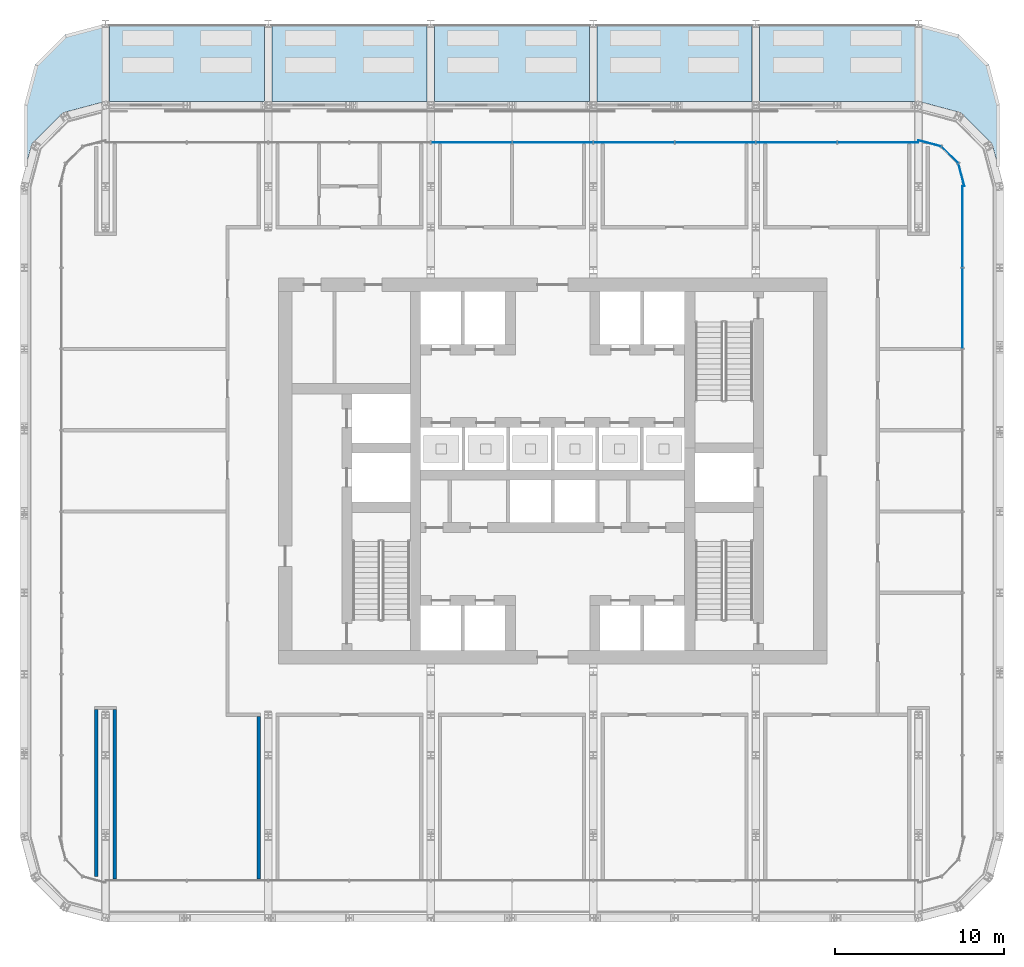
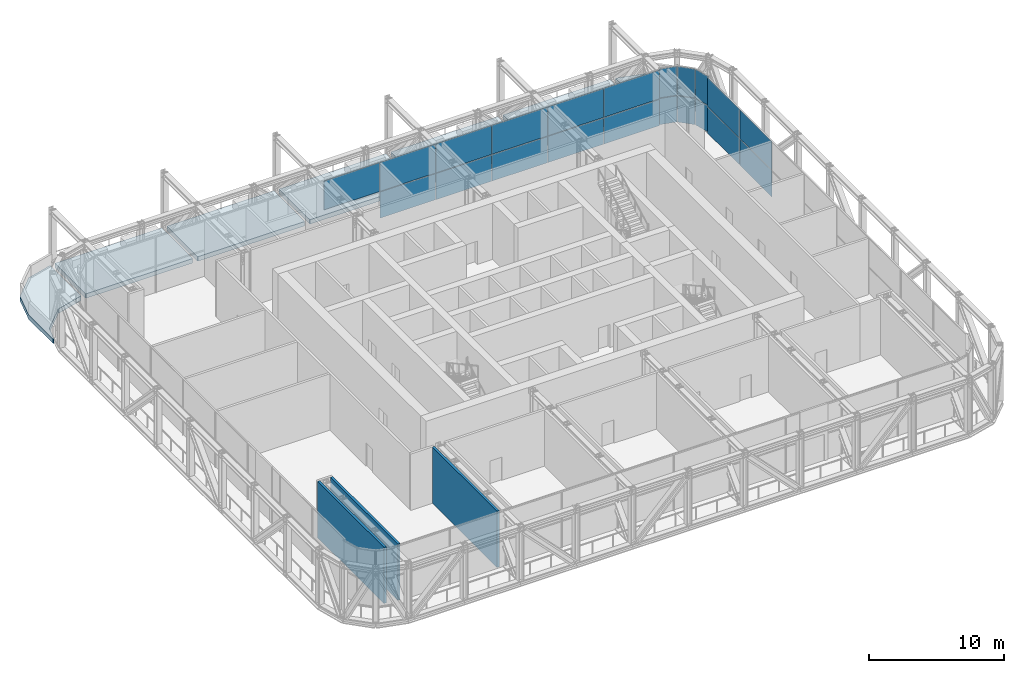
# One storey, part 15 of 27: 21 plates, 7 slabs, 3 walls, 3 elements without a shape of their own.
"""IFC4 building model written with IfcOpenShell, lengths in metres."""

from ifc_helpers import new_model, si_unit, direction, frame, frame_2d, origin, origin_2d, place, context, subcontext, project, spatial, polyline, rectangle, outline, extrude, material, layer, layer_set, type_object, element, aggregate, save


model = new_model("IFC4")

# Units and contexts
model_context = context("Model", 3, precision=1e-05, world=origin(), true_north=direction((0.0, 1.0)))
body_context = subcontext(model_context, "Body", "Model", "MODEL_VIEW")
ifc_project = project(units=[si_unit("LENGTHUNIT", "METRE"), si_unit("AREAUNIT", "SQUARE_METRE"), si_unit("VOLUMEUNIT", "CUBIC_METRE"), si_unit("PLANEANGLEUNIT", "RADIAN"), si_unit("MASSUNIT", "GRAM", prefix="KILO")], contexts=[model_context])

# Site, building, storey
site_placement = place(None, origin())
site = spatial("IfcSite", under=ifc_project, at=site_placement, CompositionType="ELEMENT")
building_placement = place(site_placement, origin())
building = spatial("IfcBuilding", under=site, at=building_placement, Name="Madar Terraces", CompositionType="ELEMENT")
storey_placement = place(building_placement, frame((0.0, 0.0, 143.60009765625)))
storey = spatial("IfcBuildingStorey", under=building, at=storey_placement, Name="L37", CompositionType="ELEMENT", Elevation=143.60009765625)

# Curtain wall, plates
ifc_material_1 = material(Name="Glass, ceramic frit dark grey, with black aluminium frame", Category="aluminium")
ifc_layer_1 = layer(ifc_material_1, 0.199951171875)
ifc_layer_set_1 = layer_set([ifc_layer_1], Name="Facade curtain wall, tall glazing")
curtain_wall_type = type_object("IfcCurtainWallType", Name="Facade curtain wall, tall glazing", PredefinedType="NOTDEFINED", material=ifc_layer_set_1)
curtain_wall_1_placement = place(storey_placement, origin())
curtain_wall_1 = element("IfcCurtainWall", 1, at=curtain_wall_1_placement, inside=storey, type_object=curtain_wall_type, Name="Outer skin curtain wall east bay 1", PredefinedType="NOTDEFINED")
ifc_material_2 = material(Name="Glass, ceramic frit dark grey", Category="glass")
ifc_layer_2 = layer(ifc_material_2, 0.028076171875)
ifc_layer_set_2 = layer_set([ifc_layer_2], Name="Facade glass panel 28")
plate_type = type_object("IfcPlateType", Name="Facade glass panel 28", PredefinedType="CURTAIN_PANEL", material=ifc_layer_set_2)
plate_1_placement = place(storey_placement, frame((55.39990234375, 36.0, -0.000244140625), z_axis=(0.0, 0.0, 1.0), x_axis=(0.0, 1.0, 0.0)))
plate_1 = element("IfcPlate", 2, at=plate_1_placement, type_object=plate_type, Name="Panel 13", PredefinedType="CURTAIN_PANEL", context=body_context, shape_type="SweptSolid", body=[
    extrude(rectangle(XDim=4.739990234375, YDim=0.028076171875, at=origin_2d()), origin(), (0.0, 0.0, 1.0), 2.3701171875),
])
plate_2_placement = place(storey_placement, frame((55.39990234375, 36.0, 2.4296875), z_axis=(0.0, 0.0, 1.0), x_axis=(0.0, 1.0, 0.0)))
plate_2 = element("IfcPlate", 3, at=plate_2_placement, type_object=plate_type, Name="Panel 14", PredefinedType="CURTAIN_PANEL", context=body_context, shape_type="SweptSolid", body=[
    extrude(rectangle(XDim=4.739990234375, YDim=0.028076171875, at=origin_2d()), origin(), (0.0, 0.0, 1.0), 2.610107421875),
])
plate_3_placement = place(storey_placement, frame((55.39990234375, 40.81494140625, -0.000244140625), z_axis=(0.0, 0.0, 1.0), x_axis=(0.0, 1.0, 0.0)))
plate_3 = element("IfcPlate", 4, at=plate_3_placement, type_object=plate_type, Name="Panel 15", PredefinedType="CURTAIN_PANEL", context=body_context, shape_type="SweptSolid", body=[
    extrude(rectangle(XDim=4.77001953125, YDim=0.028076171875, at=origin_2d()), origin(), (0.0, 0.0, 1.0), 2.3701171875),
])
plate_4_placement = place(storey_placement, frame((55.39990234375, 40.81494140625, 2.4296875), z_axis=(0.0, 0.0, 1.0), x_axis=(0.0, 1.0, 0.0)))
plate_4 = element("IfcPlate", 5, at=plate_4_placement, type_object=plate_type, Name="Panel 16", PredefinedType="CURTAIN_PANEL", context=body_context, shape_type="SweptSolid", body=[
    extrude(rectangle(XDim=4.77001953125, YDim=0.028076171875, at=origin_2d()), origin(), (0.0, 0.0, 1.0), 2.610107421875),
])
aggregate(curtain_wall_1, [plate_1, plate_2, plate_3, plate_4])

curtain_wall_2_placement = place(storey_placement, origin())
curtain_wall_2 = element("IfcCurtainWall", 6, at=curtain_wall_2_placement, inside=storey, type_object=curtain_wall_type, Name="Outer skin curtain wall north bay 1", PredefinedType="NOTDEFINED")
plate_5_placement = place(storey_placement, frame((50.4150390625, 45.800048828125, -0.000244140625), z_axis=(0.0, 0.0, 1.0), x_axis=(-1.0, 0.0, 0.0)))
plate_5 = element("IfcPlate", 7, at=plate_5_placement, type_object=plate_type, Name="Panel 1", PredefinedType="CURTAIN_PANEL", context=body_context, shape_type="SweptSolid", body=[
    extrude(rectangle(XDim=4.77001953125, YDim=0.028076171875, at=origin_2d()), origin(), (0.0, 0.0, 1.0), 2.3701171875),
])
plate_6_placement = place(storey_placement, frame((50.4150390625, 45.800048828125, 2.4296875), z_axis=(0.0, 0.0, 1.0), x_axis=(-1.0, 0.0, 0.0)))
plate_6 = element("IfcPlate", 8, at=plate_6_placement, type_object=plate_type, Name="Panel 2", PredefinedType="CURTAIN_PANEL", context=body_context, shape_type="SweptSolid", body=[
    extrude(rectangle(XDim=4.77001953125, YDim=0.028076171875, at=origin_2d()), origin(), (0.0, 0.0, 1.0), 2.610107421875),
])
plate_7_placement = place(storey_placement, frame((45.60009765625, 45.800048828125, -0.000244140625), z_axis=(0.0, 0.0, 1.0), x_axis=(-1.0, 0.0, 0.0)))
plate_7 = element("IfcPlate", 9, at=plate_7_placement, type_object=plate_type, Name="Panel 3", PredefinedType="CURTAIN_PANEL", context=body_context, shape_type="SweptSolid", body=[
    extrude(rectangle(XDim=4.739990234375, YDim=0.028076171875, at=origin_2d()), origin(), (0.0, 0.0, 1.0), 2.3701171875),
])
plate_8_placement = place(storey_placement, frame((45.60009765625, 45.800048828125, 2.4296875), z_axis=(0.0, 0.0, 1.0), x_axis=(-1.0, 0.0, 0.0)))
plate_8 = element("IfcPlate", 10, at=plate_8_placement, type_object=plate_type, Name="Panel 4", PredefinedType="CURTAIN_PANEL", context=body_context, shape_type="SweptSolid", body=[
    extrude(rectangle(XDim=4.739990234375, YDim=0.028076171875, at=origin_2d()), origin(), (0.0, 0.0, 1.0), 2.610107421875),
])
plate_9_placement = place(storey_placement, frame((40.800048828125, 45.800048828125, -0.000244140625), z_axis=(0.0, 0.0, 1.0), x_axis=(-1.0, 0.0, 0.0)))
plate_9 = element("IfcPlate", 11, at=plate_9_placement, type_object=plate_type, Name="Panel 5", PredefinedType="CURTAIN_PANEL", context=body_context, shape_type="SweptSolid", body=[
    extrude(rectangle(XDim=4.739990234375, YDim=0.028076171875, at=origin_2d()), origin(), (0.0, 0.0, 1.0), 2.3701171875),
])
plate_10_placement = place(storey_placement, frame((40.800048828125, 45.800048828125, 2.4296875), z_axis=(0.0, 0.0, 1.0), x_axis=(-1.0, 0.0, 0.0)))
plate_10 = element("IfcPlate", 12, at=plate_10_placement, type_object=plate_type, Name="Panel 6", PredefinedType="CURTAIN_PANEL", context=body_context, shape_type="SweptSolid", body=[
    extrude(rectangle(XDim=4.739990234375, YDim=0.028076171875, at=origin_2d()), origin(), (0.0, 0.0, 1.0), 2.610107421875),
])
plate_11_placement = place(storey_placement, frame((36.0, 45.800048828125, -0.000244140625), z_axis=(0.0, 0.0, 1.0), x_axis=(-1.0, 0.0, 0.0)))
plate_11 = element("IfcPlate", 13, at=plate_11_placement, type_object=plate_type, Name="Panel 7", PredefinedType="CURTAIN_PANEL", context=body_context, shape_type="SweptSolid", body=[
    extrude(rectangle(XDim=4.739990234375, YDim=0.028076171875, at=origin_2d()), origin(), (0.0, 0.0, 1.0), 2.3701171875),
])
plate_12_placement = place(storey_placement, frame((36.0, 45.800048828125, 2.4296875), z_axis=(0.0, 0.0, 1.0), x_axis=(-1.0, 0.0, 0.0)))
plate_12 = element("IfcPlate", 14, at=plate_12_placement, type_object=plate_type, Name="Panel 8", PredefinedType="CURTAIN_PANEL", context=body_context, shape_type="SweptSolid", body=[
    extrude(rectangle(XDim=4.739990234375, YDim=0.028076171875, at=origin_2d()), origin(), (0.0, 0.0, 1.0), 2.610107421875),
])
plate_13_placement = place(storey_placement, frame((31.199951171875, 45.800048828125, -0.000244140625), z_axis=(0.0, 0.0, 1.0), x_axis=(-1.0, 0.0, 0.0)))
plate_13 = element("IfcPlate", 15, at=plate_13_placement, type_object=plate_type, Name="Panel 9", PredefinedType="CURTAIN_PANEL", context=body_context, shape_type="SweptSolid", body=[
    extrude(rectangle(XDim=4.739990234375, YDim=0.028076171875, at=origin_2d()), origin(), (0.0, 0.0, 1.0), 2.3701171875),
])
plate_14_placement = place(storey_placement, frame((31.199951171875, 45.800048828125, 2.4296875), z_axis=(0.0, 0.0, 1.0), x_axis=(-1.0, 0.0, 0.0)))
plate_14 = element("IfcPlate", 16, at=plate_14_placement, type_object=plate_type, Name="Panel 10", PredefinedType="CURTAIN_PANEL", context=body_context, shape_type="SweptSolid", body=[
    extrude(rectangle(XDim=4.739990234375, YDim=0.028076171875, at=origin_2d()), origin(), (0.0, 0.0, 1.0), 2.610107421875),
])
plate_15_placement = place(storey_placement, frame((26.39990234375, 45.800048828125, 2.4296875), z_axis=(0.0, 0.0, 1.0), x_axis=(-1.0, 0.0, 0.0)))
plate_15 = element("IfcPlate", 17, at=plate_15_placement, type_object=plate_type, Name="Panel 12", PredefinedType="CURTAIN_PANEL", context=body_context, shape_type="SweptSolid", body=[
    extrude(rectangle(XDim=4.739990234375, YDim=0.028076171875, at=origin_2d()), origin(), (0.0, 0.0, 1.0), 2.610107421875),
])
aggregate(curtain_wall_2, [plate_5, plate_6, plate_7, plate_8, plate_9, plate_10, plate_11, plate_12, plate_13, plate_14, plate_15])

curtain_wall_3_placement = place(storey_placement, origin())
curtain_wall_3 = element("IfcCurtainWall", 18, at=curtain_wall_3_placement, inside=storey, type_object=curtain_wall_type, Name="Outer skin curtain wall north-east corner", PredefinedType="NOTDEFINED")
plate_16_placement = place(storey_placement, frame((55.341796875, 43.865478515625, -0.000244140625), z_axis=(0.0, 0.0, 1.0), x_axis=(-0.258819110244, 0.965925808834, 0.0)))
plate_16 = element("IfcPlate", 19, at=plate_16_placement, type_object=plate_type, Name="Panel 1", PredefinedType="CURTAIN_PANEL", context=body_context, shape_type="SweptSolid", body=[
    extrude(rectangle(XDim=1.3779296875, YDim=0.028076171875, at=origin_2d()), origin(), (0.0, 0.0, 1.0), 2.3701171875),
])
plate_17_placement = place(storey_placement, frame((55.341796875, 43.865478515625, 2.4296875), z_axis=(0.0, 0.0, 1.0), x_axis=(-0.258819110244, 0.965925808834, 0.0)))
plate_17 = element("IfcPlate", 20, at=plate_17_placement, type_object=plate_type, Name="Panel 2", PredefinedType="CURTAIN_PANEL", context=body_context, shape_type="SweptSolid", body=[
    extrude(rectangle(XDim=1.3779296875, YDim=0.028076171875, at=origin_2d()), origin(), (0.0, 0.0, 1.0), 2.610107421875),
])
plate_18_placement = place(storey_placement, frame((54.65771484375, 45.057861328125, -0.000244140625), z_axis=(0.0, 0.0, 1.0), x_axis=(-0.707106781187, 0.707106781187, 0.0)))
plate_18 = element("IfcPlate", 21, at=plate_18_placement, type_object=plate_type, Name="Panel 3", PredefinedType="CURTAIN_PANEL", context=body_context, shape_type="SweptSolid", body=[
    extrude(rectangle(XDim=1.347900390625, YDim=0.028076171875, at=origin_2d()), origin(), (0.0, 0.0, 1.0), 2.3701171875),
])
plate_19_placement = place(storey_placement, frame((54.65771484375, 45.057861328125, 2.4296875), z_axis=(0.0, 0.0, 1.0), x_axis=(-0.707106781187, 0.707106781187, 0.0)))
plate_19 = element("IfcPlate", 22, at=plate_19_placement, type_object=plate_type, Name="Panel 4", PredefinedType="CURTAIN_PANEL", context=body_context, shape_type="SweptSolid", body=[
    extrude(rectangle(XDim=1.347900390625, YDim=0.028076171875, at=origin_2d()), origin(), (0.0, 0.0, 1.0), 2.610107421875),
])
plate_20_placement = place(storey_placement, frame((53.465576171875, 45.74169921875, -0.000244140625), z_axis=(0.0, 0.0, 1.0), x_axis=(-0.965925808834, 0.258819110244, 0.0)))
plate_20 = element("IfcPlate", 23, at=plate_20_placement, type_object=plate_type, Name="Panel 5", PredefinedType="CURTAIN_PANEL", context=body_context, shape_type="SweptSolid", body=[
    extrude(rectangle(XDim=1.3779296875, YDim=0.028076171875, at=origin_2d()), origin(), (0.0, 0.0, 1.0), 2.3701171875),
])
plate_21_placement = place(storey_placement, frame((53.465576171875, 45.74169921875, 2.4296875), z_axis=(0.0, 0.0, 1.0), x_axis=(-0.965925808834, 0.258819110244, 0.0)))
plate_21 = element("IfcPlate", 24, at=plate_21_placement, type_object=plate_type, Name="Panel 6", PredefinedType="CURTAIN_PANEL", context=body_context, shape_type="SweptSolid", body=[
    extrude(rectangle(XDim=1.3779296875, YDim=0.028076171875, at=origin_2d()), origin(), (0.0, 0.0, 1.0), 2.610107421875),
])
aggregate(curtain_wall_3, [plate_16, plate_17, plate_18, plate_19, plate_20, plate_21])

# Slabs
ifc_material_3 = material(Name="Concrete C50/60", Category="concrete")
ifc_layer_3 = layer(ifc_material_3, 0.39990234375)
ifc_layer_set_3 = layer_set([ifc_layer_3], Name="TS1 PT terrace slab 400")
slab_type = type_object("IfcSlabType", Name="TS1 PT terrace slab 400", PredefinedType="FLOOR", material=ifc_layer_set_3)
slab_1_placement = place(storey_placement, frame((0.0, 0.0, -0.400146484375)))
element("IfcSlab", 25, at=slab_1_placement, inside=storey, type_object=slab_type, Name="Terrace roof slab L37 (1)", PredefinedType="FLOOR", context=body_context, shape_type="SweptSolid", body=[
    extrude(outline(polyline([(0.098388671875, 44.401123046875), (0.44921875, 45.71044921875), (0.449462890625, 45.711669921875), (0.450439453125, 45.712646484375), (2.287353515625, 47.549560546875), (2.288330078125, 47.550537109375), (2.28955078125, 47.55078125), (4.547119140625, 48.15576171875), (4.5517578125, 48.1572265625), (4.556396484375, 48.1591796875), (4.560791015625, 48.161865234375), (4.56494140625, 48.164794921875), (4.56884765625, 48.16796875), (4.572265625, 48.171630859375), (4.5751953125, 48.175537109375), (4.577880859375, 48.179931640625), (4.580078125, 48.184326171875), (4.581787109375, 48.189208984375), (4.5830078125, 48.194091796875), (4.583740234375, 48.198974609375), (4.583984375, 48.2041015625), (4.583984375, 52.677001953125), (4.583984375, 52.681884765625), (4.583251953125, 52.6865234375), (4.58203125, 52.691162109375), (4.580322265625, 52.69580078125), (4.578369140625, 52.7001953125), (4.575927734375, 52.704345703125), (4.5732421875, 52.708251953125), (4.56982421875, 52.7119140625), (4.56640625, 52.715087890625), (4.5625, 52.718017578125), (4.55859375, 52.720703125), (4.55419921875, 52.72265625), (4.549560546875, 52.724609375), (4.544921875, 52.725830078125), (4.540283203125, 52.7265625), (4.535400390625, 52.72705078125), (4.53076171875, 52.726806640625), (4.52587890625, 52.726318359375), (4.521240234375, 52.725341796875), (2.412841796875, 52.160400390625), (2.407958984375, 52.15869140625), (2.403076171875, 52.15673828125), (2.398681640625, 52.154052734375), (2.39453125, 52.15087890625), (2.390625, 52.1474609375), (0.652587890625, 50.409423828125), (0.649169921875, 50.405517578125), (0.64599609375, 50.4013671875), (0.643310546875, 50.396728515625), (0.64111328125, 50.39208984375), (0.6396484375, 50.386962890625), (0.001708984375, 48.00634765625), (0.000732421875, 48.002197265625), (0.000244140625, 47.997802734375), (0.0, 47.993408203125), (0.0, 44.4140625), (0.000244140625, 44.408935546875), (0.0009765625, 44.404052734375), (0.002197265625, 44.399169921875), (0.00390625, 44.39453125), (0.006103515625, 44.39013671875), (0.008544921875, 44.385986328125), (0.01171875, 44.3818359375), (0.014892578125, 44.378173828125), (0.0185546875, 44.375), (0.022705078125, 44.3720703125), (0.027099609375, 44.36962890625), (0.031494140625, 44.367431640625), (0.0361328125, 44.365966796875), (0.041015625, 44.36474609375), (0.0458984375, 44.364013671875), (0.05078125, 44.364013671875), (0.055908203125, 44.3642578125), (0.060791015625, 44.365234375), (0.0654296875, 44.366455078125), (0.070068359375, 44.3681640625), (0.07470703125, 44.370361328125), (0.078857421875, 44.373046875), (0.082763671875, 44.376220703125), (0.086181640625, 44.379638671875), (0.089599609375, 44.38330078125), (0.09228515625, 44.387451171875), (0.0947265625, 44.391845703125), (0.0966796875, 44.396240234375), (0.098388671875, 44.401123046875)])), origin(), (0.0, 0.0, 1.0), 0.400146484375),
])
slab_2_placement = place(storey_placement, frame((0.0, 0.0, -0.400146484375)))
element("IfcSlab", 26, at=slab_2_placement, inside=storey, type_object=slab_type, Name="Terrace roof slab L37 (2)", PredefinedType="FLOOR", context=body_context, shape_type="SweptSolid", body=[
    extrude(outline(polyline([(14.143798828125, 52.799072265625), (14.138916015625, 52.7998046875), (14.134033203125, 52.800048828125), (5.06591796875, 52.800048828125), (5.06103515625, 52.7998046875), (5.05615234375, 52.799072265625), (5.05126953125, 52.7978515625), (5.046875, 52.796142578125), (5.042236328125, 52.794189453125), (5.0380859375, 52.79150390625), (5.0341796875, 52.78857421875), (5.030517578125, 52.785400390625), (5.02734375, 52.78173828125), (5.0244140625, 52.77783203125), (5.021728515625, 52.773681640625), (5.019775390625, 52.76904296875), (5.01806640625, 52.764404296875), (5.016845703125, 52.759765625), (5.01611328125, 52.7548828125), (5.015869140625, 52.75), (5.015869140625, 48.265869140625), (5.01611328125, 48.260986328125), (5.016845703125, 48.256103515625), (5.01806640625, 48.25146484375), (5.019775390625, 48.246826171875), (5.021728515625, 48.242431640625), (5.0244140625, 48.238037109375), (5.02734375, 48.234130859375), (5.030517578125, 48.23046875), (5.0341796875, 48.227294921875), (5.0380859375, 48.224365234375), (5.042236328125, 48.221923828125), (5.046875, 48.2197265625), (5.05126953125, 48.218017578125), (5.05615234375, 48.216796875), (5.06103515625, 48.216064453125), (5.06591796875, 48.2158203125), (14.134033203125, 48.2158203125), (14.138916015625, 48.216064453125), (14.143798828125, 48.216796875), (14.148681640625, 48.218017578125), (14.1533203125, 48.2197265625), (14.15771484375, 48.221923828125), (14.161865234375, 48.224365234375), (14.165771484375, 48.227294921875), (14.16943359375, 48.23046875), (14.1728515625, 48.234130859375), (14.17578125, 48.238037109375), (14.17822265625, 48.242431640625), (14.18017578125, 48.246826171875), (14.181884765625, 48.25146484375), (14.18310546875, 48.256103515625), (14.183837890625, 48.260986328125), (14.18408203125, 48.265869140625), (14.18408203125, 52.75), (14.183837890625, 52.7548828125), (14.18310546875, 52.759765625), (14.181884765625, 52.764404296875), (14.18017578125, 52.76904296875), (14.17822265625, 52.773681640625), (14.17578125, 52.77783203125), (14.1728515625, 52.78173828125), (14.16943359375, 52.785400390625), (14.165771484375, 52.78857421875), (14.161865234375, 52.79150390625), (14.15771484375, 52.794189453125), (14.1533203125, 52.796142578125), (14.148681640625, 52.7978515625), (14.143798828125, 52.799072265625)])), origin(), (0.0, 0.0, 1.0), 0.400146484375),
])
slab_3_placement = place(storey_placement, frame((0.0, 0.0, -0.400146484375)))
element("IfcSlab", 27, at=slab_3_placement, inside=storey, type_object=slab_type, Name="Terrace roof slab L37 (3)", PredefinedType="FLOOR", context=body_context, shape_type="SweptSolid", body=[
    extrude(outline(polyline([(23.743896484375, 52.799072265625), (23.739013671875, 52.7998046875), (23.734130859375, 52.800048828125), (14.666015625, 52.800048828125), (14.660888671875, 52.7998046875), (14.65625, 52.799072265625), (14.6513671875, 52.7978515625), (14.646728515625, 52.796142578125), (14.642333984375, 52.794189453125), (14.63818359375, 52.79150390625), (14.63427734375, 52.78857421875), (14.630615234375, 52.785400390625), (14.627197265625, 52.78173828125), (14.624267578125, 52.77783203125), (14.621826171875, 52.773681640625), (14.61962890625, 52.76904296875), (14.6181640625, 52.764404296875), (14.616943359375, 52.759765625), (14.6162109375, 52.7548828125), (14.615966796875, 52.75), (14.615966796875, 48.265869140625), (14.6162109375, 48.260986328125), (14.616943359375, 48.256103515625), (14.6181640625, 48.25146484375), (14.61962890625, 48.246826171875), (14.621826171875, 48.242431640625), (14.624267578125, 48.238037109375), (14.627197265625, 48.234130859375), (14.630615234375, 48.23046875), (14.63427734375, 48.227294921875), (14.63818359375, 48.224365234375), (14.642333984375, 48.221923828125), (14.646728515625, 48.2197265625), (14.6513671875, 48.218017578125), (14.65625, 48.216796875), (14.660888671875, 48.216064453125), (14.666015625, 48.2158203125), (23.734130859375, 48.2158203125), (23.739013671875, 48.216064453125), (23.743896484375, 48.216796875), (23.74853515625, 48.218017578125), (23.753173828125, 48.2197265625), (23.757568359375, 48.221923828125), (23.761962890625, 48.224365234375), (23.765869140625, 48.227294921875), (23.76953125, 48.23046875), (23.772705078125, 48.234130859375), (23.775634765625, 48.238037109375), (23.778076171875, 48.242431640625), (23.7802734375, 48.246826171875), (23.781982421875, 48.25146484375), (23.783203125, 48.256103515625), (23.783935546875, 48.260986328125), (23.7841796875, 48.265869140625), (23.7841796875, 52.75), (23.783935546875, 52.7548828125), (23.783203125, 52.759765625), (23.781982421875, 52.764404296875), (23.7802734375, 52.76904296875), (23.778076171875, 52.773681640625), (23.775634765625, 52.77783203125), (23.772705078125, 52.78173828125), (23.76953125, 52.785400390625), (23.765869140625, 52.78857421875), (23.761962890625, 52.79150390625), (23.757568359375, 52.794189453125), (23.753173828125, 52.796142578125), (23.74853515625, 52.7978515625), (23.743896484375, 52.799072265625)])), origin(), (0.0, 0.0, 1.0), 0.400146484375),
])
slab_4_placement = place(storey_placement, frame((0.0, 0.0, -0.400146484375)))
element("IfcSlab", 28, at=slab_4_placement, inside=storey, type_object=slab_type, Name="Terrace roof slab L37 (4)", PredefinedType="FLOOR", context=body_context, shape_type="SweptSolid", body=[
    extrude(outline(polyline([(33.34375, 52.799072265625), (33.339111328125, 52.7998046875), (33.333984375, 52.800048828125), (24.265869140625, 52.800048828125), (24.260986328125, 52.7998046875), (24.256103515625, 52.799072265625), (24.25146484375, 52.7978515625), (24.246826171875, 52.796142578125), (24.242431640625, 52.794189453125), (24.238037109375, 52.79150390625), (24.234130859375, 52.78857421875), (24.23046875, 52.785400390625), (24.227294921875, 52.78173828125), (24.224365234375, 52.77783203125), (24.221923828125, 52.773681640625), (24.2197265625, 52.76904296875), (24.218017578125, 52.764404296875), (24.216796875, 52.759765625), (24.216064453125, 52.7548828125), (24.2158203125, 52.75), (24.2158203125, 48.265869140625), (24.216064453125, 48.260986328125), (24.216796875, 48.256103515625), (24.218017578125, 48.25146484375), (24.2197265625, 48.246826171875), (24.221923828125, 48.242431640625), (24.224365234375, 48.238037109375), (24.227294921875, 48.234130859375), (24.23046875, 48.23046875), (24.234130859375, 48.227294921875), (24.238037109375, 48.224365234375), (24.242431640625, 48.221923828125), (24.246826171875, 48.2197265625), (24.25146484375, 48.218017578125), (24.256103515625, 48.216796875), (24.260986328125, 48.216064453125), (24.265869140625, 48.2158203125), (33.333984375, 48.2158203125), (33.339111328125, 48.216064453125), (33.34375, 48.216796875), (33.3486328125, 48.218017578125), (33.353271484375, 48.2197265625), (33.357666015625, 48.221923828125), (33.36181640625, 48.224365234375), (33.36572265625, 48.227294921875), (33.369384765625, 48.23046875), (33.372802734375, 48.234130859375), (33.375732421875, 48.238037109375), (33.378173828125, 48.242431640625), (33.38037109375, 48.246826171875), (33.3818359375, 48.25146484375), (33.383056640625, 48.256103515625), (33.3837890625, 48.260986328125), (33.384033203125, 48.265869140625), (33.384033203125, 52.75), (33.3837890625, 52.7548828125), (33.383056640625, 52.759765625), (33.3818359375, 52.764404296875), (33.38037109375, 52.76904296875), (33.378173828125, 52.773681640625), (33.375732421875, 52.77783203125), (33.372802734375, 52.78173828125), (33.369384765625, 52.785400390625), (33.36572265625, 52.78857421875), (33.36181640625, 52.79150390625), (33.357666015625, 52.794189453125), (33.353271484375, 52.796142578125), (33.3486328125, 52.7978515625), (33.34375, 52.799072265625)])), origin(), (0.0, 0.0, 1.0), 0.400146484375),
])
slab_5_placement = place(storey_placement, frame((0.0, 0.0, -0.400146484375)))
element("IfcSlab", 29, at=slab_5_placement, inside=storey, type_object=slab_type, Name="Terrace roof slab L37 (5)", PredefinedType="FLOOR", context=body_context, shape_type="SweptSolid", body=[
    extrude(outline(polyline([(42.94384765625, 52.799072265625), (42.93896484375, 52.7998046875), (42.93408203125, 52.800048828125), (33.865966796875, 52.800048828125), (33.861083984375, 52.7998046875), (33.856201171875, 52.799072265625), (33.851318359375, 52.7978515625), (33.8466796875, 52.796142578125), (33.84228515625, 52.794189453125), (33.838134765625, 52.79150390625), (33.834228515625, 52.78857421875), (33.83056640625, 52.785400390625), (33.8271484375, 52.78173828125), (33.82421875, 52.77783203125), (33.82177734375, 52.773681640625), (33.81982421875, 52.76904296875), (33.818115234375, 52.764404296875), (33.81689453125, 52.759765625), (33.816162109375, 52.7548828125), (33.81591796875, 52.75), (33.81591796875, 48.265869140625), (33.816162109375, 48.260986328125), (33.81689453125, 48.256103515625), (33.818115234375, 48.25146484375), (33.81982421875, 48.246826171875), (33.82177734375, 48.242431640625), (33.82421875, 48.238037109375), (33.8271484375, 48.234130859375), (33.83056640625, 48.23046875), (33.834228515625, 48.227294921875), (33.838134765625, 48.224365234375), (33.84228515625, 48.221923828125), (33.8466796875, 48.2197265625), (33.851318359375, 48.218017578125), (33.856201171875, 48.216796875), (33.861083984375, 48.216064453125), (33.865966796875, 48.2158203125), (42.93408203125, 48.2158203125), (42.93896484375, 48.216064453125), (42.94384765625, 48.216796875), (42.94873046875, 48.218017578125), (42.953125, 48.2197265625), (42.957763671875, 48.221923828125), (42.9619140625, 48.224365234375), (42.9658203125, 48.227294921875), (42.969482421875, 48.23046875), (42.97265625, 48.234130859375), (42.9755859375, 48.238037109375), (42.978271484375, 48.242431640625), (42.980224609375, 48.246826171875), (42.98193359375, 48.25146484375), (42.983154296875, 48.256103515625), (42.98388671875, 48.260986328125), (42.984130859375, 48.265869140625), (42.984130859375, 52.75), (42.98388671875, 52.7548828125), (42.983154296875, 52.759765625), (42.98193359375, 52.764404296875), (42.980224609375, 52.76904296875), (42.978271484375, 52.773681640625), (42.9755859375, 52.77783203125), (42.97265625, 52.78173828125), (42.969482421875, 52.785400390625), (42.9658203125, 52.78857421875), (42.9619140625, 52.79150390625), (42.957763671875, 52.794189453125), (42.953125, 52.796142578125), (42.94873046875, 52.7978515625), (42.94384765625, 52.799072265625)])), origin(), (0.0, 0.0, 1.0), 0.400146484375),
])
slab_6_placement = place(storey_placement, frame((0.0, 0.0, -0.400146484375)))
element("IfcSlab", 30, at=slab_6_placement, inside=storey, type_object=slab_type, Name="Terrace roof slab L37 (6)", PredefinedType="FLOOR", context=body_context, shape_type="SweptSolid", body=[
    extrude(outline(polyline([(52.5439453125, 52.799072265625), (52.5390625, 52.7998046875), (52.5341796875, 52.800048828125), (43.4658203125, 52.800048828125), (43.4609375, 52.7998046875), (43.4560546875, 52.799072265625), (43.451416015625, 52.7978515625), (43.44677734375, 52.796142578125), (43.4423828125, 52.794189453125), (43.438232421875, 52.79150390625), (43.43408203125, 52.78857421875), (43.4306640625, 52.785400390625), (43.42724609375, 52.78173828125), (43.42431640625, 52.77783203125), (43.421875, 52.773681640625), (43.419677734375, 52.76904296875), (43.41796875, 52.764404296875), (43.416748046875, 52.759765625), (43.416259765625, 52.7548828125), (43.416015625, 52.75), (43.416015625, 48.265869140625), (43.416259765625, 48.260986328125), (43.416748046875, 48.256103515625), (43.41796875, 48.25146484375), (43.419677734375, 48.246826171875), (43.421875, 48.242431640625), (43.42431640625, 48.238037109375), (43.42724609375, 48.234130859375), (43.4306640625, 48.23046875), (43.43408203125, 48.227294921875), (43.438232421875, 48.224365234375), (43.4423828125, 48.221923828125), (43.44677734375, 48.2197265625), (43.451416015625, 48.218017578125), (43.4560546875, 48.216796875), (43.4609375, 48.216064453125), (43.4658203125, 48.2158203125), (52.5341796875, 48.2158203125), (52.5390625, 48.216064453125), (52.5439453125, 48.216796875), (52.548583984375, 48.218017578125), (52.55322265625, 48.2197265625), (52.5576171875, 48.221923828125), (52.561767578125, 48.224365234375), (52.56591796875, 48.227294921875), (52.5693359375, 48.23046875), (52.57275390625, 48.234130859375), (52.57568359375, 48.238037109375), (52.578125, 48.242431640625), (52.580322265625, 48.246826171875), (52.58203125, 48.25146484375), (52.583251953125, 48.256103515625), (52.583740234375, 48.260986328125), (52.583984375, 48.265869140625), (52.583984375, 52.75), (52.583740234375, 52.7548828125), (52.583251953125, 52.759765625), (52.58203125, 52.764404296875), (52.580322265625, 52.76904296875), (52.578125, 52.773681640625), (52.57568359375, 52.77783203125), (52.57275390625, 52.78173828125), (52.5693359375, 52.785400390625), (52.56591796875, 52.78857421875), (52.561767578125, 52.79150390625), (52.5576171875, 52.794189453125), (52.55322265625, 52.796142578125), (52.548583984375, 52.7978515625), (52.5439453125, 52.799072265625)])), origin(), (0.0, 0.0, 1.0), 0.400146484375),
])
slab_7_placement = place(storey_placement, frame((0.0, 0.0, -0.400146484375)))
element("IfcSlab", 31, at=slab_7_placement, inside=storey, type_object=slab_type, Name="Terrace roof slab L37 (7)", PredefinedType="FLOOR", context=body_context, shape_type="SweptSolid", body=[
    extrude(outline(polyline([(55.192138671875, 52.15869140625), (55.18701171875, 52.160400390625), (53.078857421875, 52.725341796875), (53.07421875, 52.726318359375), (53.0693359375, 52.726806640625), (53.064453125, 52.72705078125), (53.059814453125, 52.7265625), (53.054931640625, 52.725830078125), (53.05029296875, 52.724609375), (53.0458984375, 52.72265625), (53.04150390625, 52.720703125), (53.037353515625, 52.718017578125), (53.03369140625, 52.715087890625), (53.030029296875, 52.7119140625), (53.02685546875, 52.708251953125), (53.02392578125, 52.704345703125), (53.021484375, 52.7001953125), (53.01953125, 52.69580078125), (53.01806640625, 52.691162109375), (53.016845703125, 52.6865234375), (53.01611328125, 52.681884765625), (53.015869140625, 52.677001953125), (53.015869140625, 48.2041015625), (53.01611328125, 48.198974609375), (53.016845703125, 48.194091796875), (53.01806640625, 48.189208984375), (53.02001953125, 48.184326171875), (53.022216796875, 48.179931640625), (53.024658203125, 48.175537109375), (53.02783203125, 48.171630859375), (53.03125, 48.16796875), (53.03515625, 48.164794921875), (53.0390625, 48.161865234375), (53.04345703125, 48.1591796875), (53.048095703125, 48.1572265625), (53.052978515625, 48.15576171875), (55.310546875, 47.55078125), (55.311767578125, 47.550537109375), (55.312744140625, 47.549560546875), (57.149658203125, 45.712646484375), (57.150390625, 45.711669921875), (57.15087890625, 45.71044921875), (57.501708984375, 44.401123046875), (57.503173828125, 44.396240234375), (57.505126953125, 44.391845703125), (57.507568359375, 44.387451171875), (57.510498046875, 44.38330078125), (57.513671875, 44.379638671875), (57.517333984375, 44.376220703125), (57.521240234375, 44.373046875), (57.525390625, 44.370361328125), (57.52978515625, 44.3681640625), (57.534423828125, 44.366455078125), (57.539306640625, 44.365234375), (57.544189453125, 44.3642578125), (57.549072265625, 44.364013671875), (57.553955078125, 44.364013671875), (57.55908203125, 44.36474609375), (57.563720703125, 44.365966796875), (57.568603515625, 44.367431640625), (57.572998046875, 44.36962890625), (57.577392578125, 44.3720703125), (57.581298828125, 44.375), (57.5849609375, 44.378173828125), (57.58837890625, 44.3818359375), (57.59130859375, 44.385986328125), (57.593994140625, 44.39013671875), (57.59619140625, 44.39453125), (57.597900390625, 44.399169921875), (57.59912109375, 44.404052734375), (57.599853515625, 44.408935546875), (57.60009765625, 44.4140625), (57.60009765625, 47.993408203125), (57.599853515625, 47.997802734375), (57.59912109375, 48.002197265625), (57.598388671875, 48.00634765625), (56.96044921875, 50.386962890625), (56.958740234375, 50.39208984375), (56.95654296875, 50.396728515625), (56.9541015625, 50.4013671875), (56.950927734375, 50.405517578125), (56.947509765625, 50.409423828125), (55.20947265625, 52.1474609375), (55.20556640625, 52.15087890625), (55.201416015625, 52.154052734375), (55.19677734375, 52.15673828125), (55.192138671875, 52.15869140625)])), origin(), (0.0, 0.0, 1.0), 0.400146484375),
])

# Walls
ifc_material_4 = material(Name="Gypsum board partition on metal studs")
ifc_layer_4 = layer(ifc_material_4, 0.199951171875)
ifc_layer_set_4 = layer_set([ifc_layer_4], Name="Partition 200 plain")
wall_type = type_object("IfcWallType", Name="Partition 200 plain", PredefinedType="PARTITIONING", material=ifc_layer_set_4)
wall_1_placement = place(storey_placement, frame((4.25, 2.449951171875, 0.0), z_axis=(0.0, 0.0, 1.0), x_axis=(0.0, 1.0, 0.0)))
element("IfcWall", 32, at=wall_1_placement, inside=storey, type_object=wall_type, Name="Wall RECEPTION / TRUSS SLOT", PredefinedType="PARTITIONING", context=body_context, shape_type="SweptSolid", body=[
    extrude(rectangle(XDim=9.85009765625, YDim=0.199951171875, at=frame_2d((4.925048828125, 0.0))), origin(), (0.0, 0.0, 1.0), 5.099853515625),
])
wall_2_placement = place(storey_placement, frame((5.35009765625, 2.300048828125, 0.0), z_axis=(0.0, 0.0, 1.0), x_axis=(0.0, 1.0, 0.0)))
element("IfcWall", 33, at=wall_2_placement, inside=storey, type_object=wall_type, Name="Wall RECEPTION / TRUSS SLOT", PredefinedType="PARTITIONING", context=body_context, shape_type="SweptSolid", body=[
    extrude(rectangle(XDim=10.0, YDim=0.199951171875, at=frame_2d((5.0, 0.0))), origin(), (0.0, 0.0, 1.0), 5.099853515625),
])
wall_3_placement = place(storey_placement, frame((13.85009765625, 2.300048828125, 0.0), z_axis=(0.0, 0.0, 1.0), x_axis=(0.0, 1.0, 0.0)))
element("IfcWall", 34, at=wall_3_placement, inside=storey, type_object=wall_type, Name="Wall RECEPTION / TRUSS SLOT", PredefinedType="PARTITIONING", context=body_context, shape_type="SweptSolid", body=[
    extrude(rectangle(XDim=9.599853515625, YDim=0.199951171875, at=frame_2d((4.7998046875, 0.0))), origin(), (0.0, 0.0, 1.0), 5.099853515625),
])

save(model, "model.ifc")
